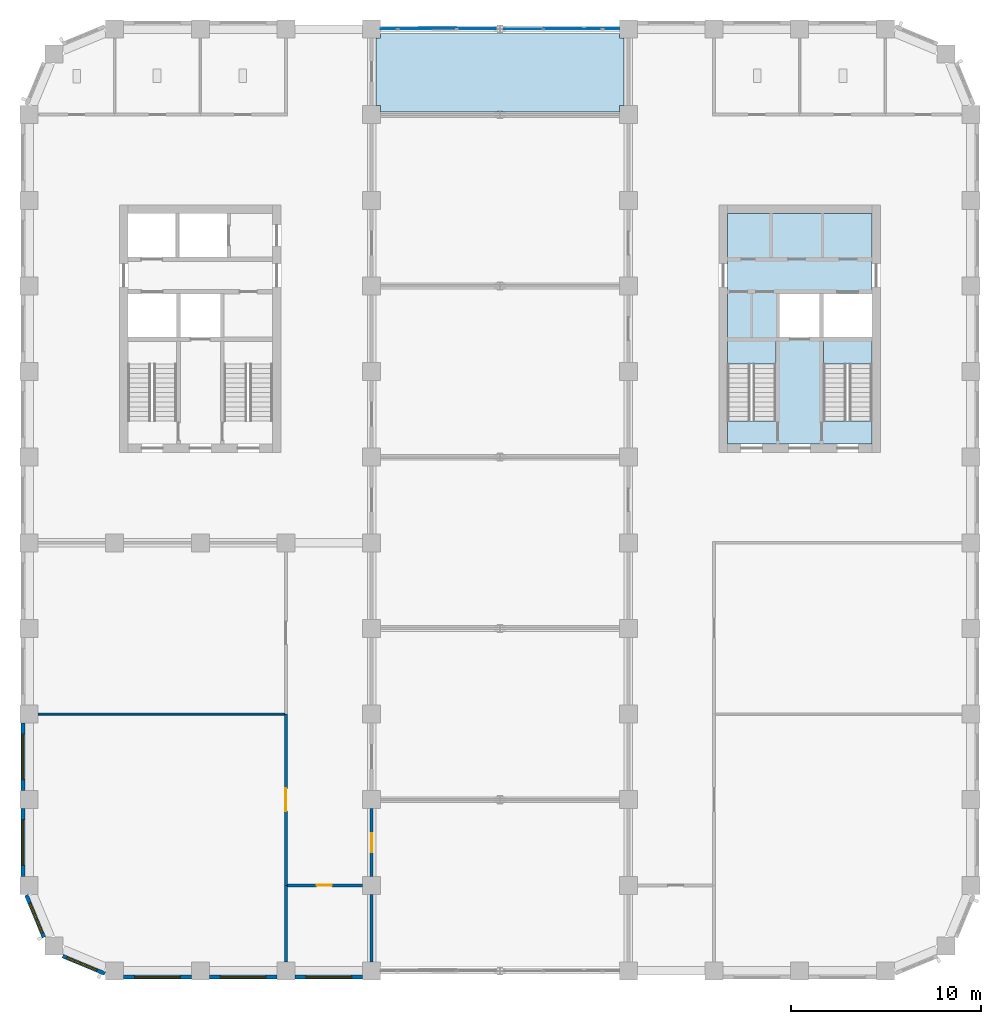
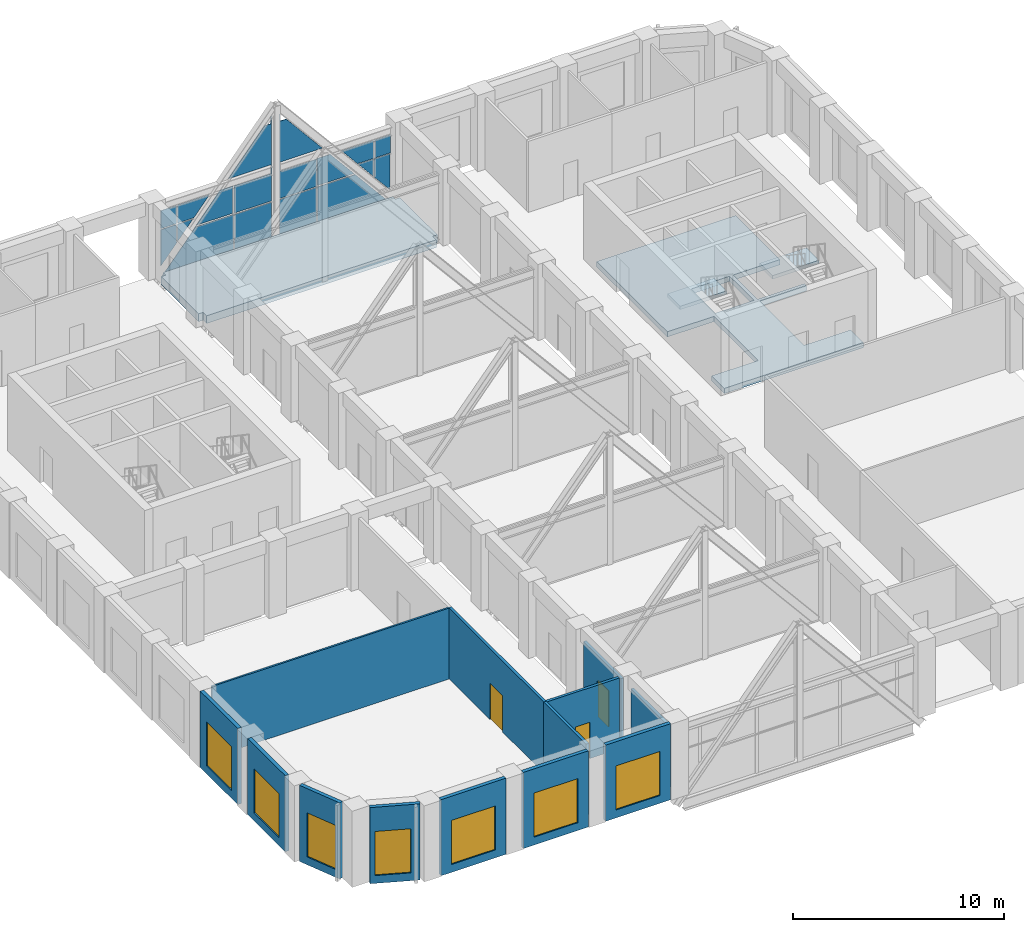
# One storey, part 7 of 15: 16 plates, 13 walls, 7 windows, 4 slabs, 3 doors, 10 openings, 6 elements without a shape of their own.
"""IFC4 building model written with IfcOpenShell, lengths in metres."""

from ifc_helpers import new_model, si_unit, direction, frame, frame_2d, origin, place, context, subcontext, project, spatial, polyline, rectangle, outline, extrude, material, layer, layer_set, type_object, element, fill, aggregate, save


model = new_model("IFC4")

# Units and contexts
model_context = context("Model", 3, precision=1e-05, world=origin(), true_north=direction((0.0, 1.0)))
body_context = subcontext(model_context, "Body", "Model", "MODEL_VIEW")
ifc_project = project(units=[si_unit("LENGTHUNIT", "METRE"), si_unit("AREAUNIT", "SQUARE_METRE"), si_unit("VOLUMEUNIT", "CUBIC_METRE"), si_unit("PLANEANGLEUNIT", "RADIAN"), si_unit("MASSUNIT", "GRAM", prefix="KILO")], contexts=[model_context])

# Site, building, storey
site_placement = place(None, origin())
site = spatial("IfcSite", under=ifc_project, at=site_placement, CompositionType="ELEMENT")
building_placement = place(site_placement, origin())
building = spatial("IfcBuilding", under=site, at=building_placement, Name="Girih Gate Residences", CompositionType="ELEMENT")
storey_placement = place(building_placement, frame((0.0, 0.0, 168.199951171875)))
storey = spatial("IfcBuildingStorey", under=building, at=storey_placement, Name="L46", CompositionType="ELEMENT", Elevation=168.199951171875)

# Slab
ifc_material_1 = material(Name="Concrete C40/50", Category="concrete")
ifc_layer_1 = layer(ifc_material_1, 0.300048828125)
ifc_layer_set_1 = layer_set([ifc_layer_1], Name="Core floor slab 300")
slab_type_1 = type_object("IfcSlabType", Name="Core floor slab 300", PredefinedType="FLOOR", material=ifc_layer_set_1)
slab_1_placement = place(storey_placement, frame((0.0, 0.0, -0.300048828125)))
element("IfcSlab", 1, at=slab_1_placement, inside=storey, type_object=slab_type_1, Name="L46 E core floor", PredefinedType="FLOOR", context=body_context, shape_type="SweptSolid", body=[
    extrude(outline(polyline([(44.300048828125, 27.699951171875), (36.699951171875, 27.699951171875), (36.699951171875, 28.900634765625), (39.25, 28.900634765625), (39.25, 33.10009765625), (36.699951171875, 33.10009765625), (36.699951171875, 39.800048828125), (44.300048828125, 39.800048828125), (44.300048828125, 35.60009765625), (41.75, 35.60009765625), (41.75, 33.300048828125), (44.300048828125, 33.300048828125), (44.300048828125, 33.10009765625), (41.75, 33.10009765625), (41.75, 28.900634765625), (44.300048828125, 28.900634765625), (44.300048828125, 27.699951171875)]), holes=[polyline([(39.449951171875, 33.300048828125), (41.550048828125, 33.300048828125), (41.550048828125, 35.60009765625), (39.449951171875, 35.60009765625), (39.449951171875, 33.300048828125)])]), origin(), (0.0, 0.0, 1.0), 0.300048828125),
])

# Curtain wall, plates
ifc_material_2 = material(Name="Aluminium curtain wall frame", Category="aluminium")
curtain_wall_type = type_object("IfcCurtainWallType", Name="Curtain wall CW-4 bridge glazing", PredefinedType="NOTDEFINED", material=ifc_material_2)
curtain_wall_1_placement = place(storey_placement, origin())
curtain_wall_1 = element("IfcCurtainWall", 2, at=curtain_wall_1_placement, inside=storey, type_object=curtain_wall_type, Name="CW-4 Bridge glazing N1", PredefinedType="NOTDEFINED")
ifc_material_3 = material(Name="Double glazed unit")
ifc_layer_2 = layer(ifc_material_3, 0.028076171875)
ifc_layer_set_2 = layer_set([ifc_layer_2], Name="Curtain wall glass panel 28")
plate_type = type_object("IfcPlateType", Name="Curtain wall glass panel 28", PredefinedType="CURTAIN_PANEL", material=ifc_layer_set_2)
plate_1_placement = place(storey_placement, frame((19.333251953125, 49.513916015625, 3.43505859375), z_axis=(0.0, 1.0, 0.0), x_axis=(0.0, 0.0, -1.0)))
plate_1 = element("IfcPlate", 3, at=plate_1_placement, type_object=plate_type, Name="CW-4 panel N1.1", PredefinedType="CURTAIN_PANEL", context=body_context, shape_type="SweptSolid", body=[
    extrude(outline(polyline([(0.0, 0.0), (1.035888671875, 0.0), (1.035888671875, 0.858154296875), (0.0, 0.858154296875), (0.0, 0.0)])), origin(), (0.0, 0.0, -1.0), 0.028076171875),
])
plate_2_placement = place(storey_placement, frame((21.139892578125, 49.513916015625, 3.43505859375), z_axis=(0.0, 1.0, 0.0), x_axis=(-0.640167072244, 0.0, -0.768235718783)))
plate_2 = element("IfcPlate", 4, at=plate_2_placement, type_object=plate_type, Name="CW-4 panel N1.2", PredefinedType="CURTAIN_PANEL", context=body_context, shape_type="SweptSolid", body=[
    extrude(outline(polyline([(0.0, 0.0), (1.3858991968136753, 0.0), (1.3637674060870153, 0.0184423131164142), (1.9139109837969996, 0.6786448839455945), (1.118104305379894, 1.3417867021908965), (0.0, 0.0)])), origin(), (0.0, 0.0, -1.0), 0.028076171875),
])
plate_3_placement = place(storey_placement, frame((19.393310546875, 49.513916015625, 1.339111328125), z_axis=(0.0, 1.0, 0.0), x_axis=(0.0, 0.0, 1.0)))
plate_3 = element("IfcPlate", 5, at=plate_3_placement, type_object=plate_type, Name="CW-4 panel N1.3", PredefinedType="CURTAIN_PANEL", context=body_context, shape_type="SweptSolid", body=[
    extrude(outline(polyline([(0.0, 0.0), (1.0, 0.0), (1.0, 0.833251953125), (0.0, 0.0)])), origin(), (0.0, 0.0, -1.0), 0.028076171875),
])
plate_4_placement = place(storey_placement, frame((18.47509765625, 49.513916015625, 0.237060546875), z_axis=(0.0, 1.0, 0.0), x_axis=(0.0, 0.0, 1.0)))
plate_4 = element("IfcPlate", 6, at=plate_4_placement, type_object=plate_type, Name="CW-4 panel N1.4", PredefinedType="CURTAIN_PANEL", context=body_context, shape_type="SweptSolid", body=[
    extrude(outline(polyline([(0.0, 0.0), (2.10205078125, 0.0), (2.10205078125, 0.858154296875), (1.065185546875, 0.858154296875), (1.065185546875, 0.887451171875), (0.0, 0.0)])), origin(), (0.0, 0.0, -1.0), 0.028076171875),
])
aggregate(curtain_wall_1, [plate_1, plate_2, plate_3, plate_4])

curtain_wall_2_placement = place(storey_placement, origin())
curtain_wall_2 = element("IfcCurtainWall", 7, at=curtain_wall_2_placement, inside=storey, type_object=curtain_wall_type, Name="CW-4 Bridge glazing N3", PredefinedType="NOTDEFINED")
plate_5_placement = place(storey_placement, frame((24.534912109375, 49.5439453125, 1.86962890625), z_axis=(0.0, 1.0, 0.0), x_axis=(-1.0, 0.0, 0.0)))
plate_5 = element("IfcPlate", 8, at=plate_5_placement, type_object=plate_type, Name="CW-4 panel N3.1", PredefinedType="CURTAIN_PANEL", context=body_context, shape_type="SweptSolid", body=[
    extrude(outline(polyline([(0.0, 0.0), (2.025146484375, 0.0), (2.025146484375, 1.5654296875), (0.034912109375, 1.5654296875), (0.034912109375, 2.095458984375), (2.341552734375, 2.095458984375), (0.366455078125, 4.46533203125), (0.034912109375, 4.46533203125), (0.034912109375, 4.86328125), (0.00830078125, 4.8955078125), (0.0, 4.8955078125), (0.0, 0.0)])), origin(), (0.0, 0.0, -1.0), 0.028076171875),
])
plate_6_placement = place(storey_placement, frame((24.534912109375, 49.513916015625, -0.43505859375), z_axis=(0.0, 1.0, 0.0), x_axis=(-1.0, 0.0, 0.0)))
plate_6 = element("IfcPlate", 9, at=plate_6_placement, type_object=plate_type, Name="CW-4 panel N3.2", PredefinedType="CURTAIN_PANEL", context=body_context, shape_type="SweptSolid", body=[
    extrude(outline(polyline([(0.0, 0.0), (2.025146484375, 0.0), (2.025146484375, 2.24462890625), (0.0, 2.24462890625), (0.0, 0.0)])), origin(), (0.0, 0.0, -1.0), 0.028076171875),
])
plate_7_placement = place(storey_placement, frame((18.526611328125, 49.5439453125, -0.43505859375), z_axis=(0.0, 1.0, 0.0), x_axis=(0.640233083146, 0.0, 0.768180707416)))
plate_7 = element("IfcPlate", 10, at=plate_7_placement, type_object=plate_type, Name="CW-4 panel N3.3", PredefinedType="CURTAIN_PANEL", context=body_context, shape_type="SweptSolid", body=[
    extrude(outline(polyline([(0.0, 0.0), (2.95950871722392, 0.0), (2.937378511297393, 0.01844421479765601), (4.235976278576423, 1.5765607473195384), (2.511695657487571, 3.0136464324860532), (0.0, 0.0)])), origin(), (0.0, 0.0, -1.0), 0.028076171875),
])
plate_8_placement = place(storey_placement, frame((21.751708984375, 49.573974609375, 3.43505859375), z_axis=(0.0, 1.0, 0.0), x_axis=(1.0, 0.0, 0.0)))
plate_8 = element("IfcPlate", 11, at=plate_8_placement, type_object=plate_type, Name="CW-4 panel N3.4", PredefinedType="CURTAIN_PANEL", context=body_context, shape_type="SweptSolid", body=[
    extrude(outline(polyline([(0.0, 0.0), (0.697998046875, 0.0), (0.697998046875, 1.5654296875), (-1.304443359375, 1.5654296875), (0.0, 0.0)])), origin(), (0.0, 0.0, -1.0), 0.028076171875),
])
aggregate(curtain_wall_2, [plate_5, plate_6, plate_7, plate_8])

curtain_wall_3_placement = place(storey_placement, origin())
curtain_wall_3 = element("IfcCurtainWall", 12, at=curtain_wall_3_placement, inside=storey, type_object=curtain_wall_type, Name="CW-4 Bridge glazing N4", PredefinedType="NOTDEFINED")
plate_9_placement = place(storey_placement, frame((25.0, 49.513916015625, 6.73291015625), z_axis=(0.0, 1.0, 0.0), x_axis=(0.0, 0.0, -1.0)))
plate_9 = element("IfcPlate", 13, at=plate_9_placement, type_object=plate_type, Name="CW-4 panel N4.1", PredefinedType="CURTAIN_PANEL", context=body_context, shape_type="SweptSolid", body=[
    extrude(outline(polyline([(0.0, 0.0), (0.39794921875, 0.0), (0.39794921875, -0.33154296875), (2.767822265625, -2.306640625), (2.767822265625, 0.0), (3.2978515625, 0.0), (3.2978515625, -1.990234375), (4.86328125, -1.990234375), (4.86328125, 0.034912109375), (-0.0322265625, 0.034912109375), (-0.0322265625, 0.026611328125), (0.0, 0.0)])), origin(), (0.0, 0.0, -1.0), 0.028076171875),
])
plate_10_placement = place(storey_placement, frame((27.748291015625, 49.5439453125, 3.43505859375), z_axis=(0.0, 1.0, 0.0), x_axis=(0.640160829594, 0.0, -0.76824092071)))
plate_10 = element("IfcPlate", 14, at=plate_10_placement, type_object=plate_type, Name="CW-4 panel N4.2", PredefinedType="CURTAIN_PANEL", context=body_context, shape_type="SweptSolid", body=[
    extrude(outline(polyline([(0.0, 0.0), (2.0376806875278284, 0.0), (0.7557961356899306, 1.5383574296059517), (-0.44683100874232495, 0.5362306621852494), (0.0, 0.0)])), origin(), (0.0, 0.0, -1.0), 0.028076171875),
])
plate_11_placement = place(storey_placement, frame((30.973388671875, 49.513916015625, -0.43505859375), z_axis=(0.0, 1.0, 0.0), x_axis=(-1.0, 0.0, 0.0)))
plate_11 = element("IfcPlate", 15, at=plate_11_placement, type_object=plate_type, Name="CW-4 panel N4.3", PredefinedType="CURTAIN_PANEL", context=body_context, shape_type="SweptSolid", body=[
    extrude(outline(polyline([(0.0, 0.0), (3.923095703125, 0.0), (3.923095703125, 2.24462890625), (1.894775390625, 2.24462890625), (1.894775390625, 2.2734375), (0.0, 0.0)])), origin(), (0.0, 0.0, -1.0), 0.028076171875),
])
plate_12_placement = place(storey_placement, frame((24.965087890625, 49.513916015625, -0.43505859375), z_axis=(0.0, 1.0, 0.0), x_axis=(0.0, 0.0, 1.0)))
plate_12 = element("IfcPlate", 16, at=plate_12_placement, type_object=plate_type, Name="CW-4 panel N4.4", PredefinedType="CURTAIN_PANEL", context=body_context, shape_type="SweptSolid", body=[
    extrude(outline(polyline([(0.0, 0.0), (2.24462890625, 0.0), (2.24462890625, 2.025146484375), (0.0, 2.025146484375), (0.0, 0.0)])), origin(), (0.0, 0.0, -1.0), 0.028076171875),
])
aggregate(curtain_wall_3, [plate_9, plate_10, plate_11, plate_12])

curtain_wall_4_placement = place(storey_placement, origin())
curtain_wall_4 = element("IfcCurtainWall", 17, at=curtain_wall_4_placement, inside=storey, type_object=curtain_wall_type, Name="CW-4 Bridge glazing N6", PredefinedType="NOTDEFINED")
plate_13_placement = place(storey_placement, frame((30.137451171875, 49.5439453125, 1.30224609375), z_axis=(0.0, 1.0, 0.0), x_axis=(1.0, 0.0, 0.0)))
plate_13 = element("IfcPlate", 18, at=plate_13_placement, type_object=plate_type, Name="CW-4 panel N6.1", PredefinedType="CURTAIN_PANEL", context=body_context, shape_type="SweptSolid", body=[
    extrude(outline(polyline([(0.0, 0.0), (0.029296875, 0.0), (0.029296875, -1.036865234375), (0.887451171875, -1.036865234375), (0.887451171875, 1.065185546875), (0.0, 0.0)])), origin(), (0.0, 0.0, -1.0), 0.028076171875),
])
plate_14_placement = place(storey_placement, frame((29.2734375, 49.5439453125, 2.339111328125), z_axis=(0.0, 1.0, 0.0), x_axis=(1.0, 0.0, 0.0)))
plate_14 = element("IfcPlate", 19, at=plate_14_placement, type_object=plate_type, Name="CW-4 panel N6.2", PredefinedType="CURTAIN_PANEL", context=body_context, shape_type="SweptSolid", body=[
    extrude(outline(polyline([(0.0, 0.0), (0.833251953125, 0.0), (0.833251953125, 1.0), (0.0, 0.0)])), origin(), (0.0, 0.0, -1.0), 0.028076171875),
])
plate_15_placement = place(storey_placement, frame((28.360107421875, 49.513916015625, 3.43505859375), z_axis=(0.0, 1.0, 0.0), x_axis=(1.0, 0.0, 0.0)))
plate_15 = element("IfcPlate", 20, at=plate_15_placement, type_object=plate_type, Name="CW-4 panel N6.3", PredefinedType="CURTAIN_PANEL", context=body_context, shape_type="SweptSolid", body=[
    extrude(outline(polyline([(0.0, 0.0), (1.74658203125, 0.0), (1.74658203125, 1.035888671875), (0.88720703125, 1.035888671875), (0.88720703125, 1.064697265625), (0.0, 0.0)])), origin(), (0.0, 0.0, -1.0), 0.028076171875),
])
plate_16_placement = place(storey_placement, frame((31.02490234375, 49.513916015625, 3.43505859375), z_axis=(0.0, 1.0, 0.0), x_axis=(0.0, 0.0, -1.0)))
plate_16 = element("IfcPlate", 21, at=plate_16_placement, type_object=plate_type, Name="CW-4 panel N6.4", PredefinedType="CURTAIN_PANEL", context=body_context, shape_type="SweptSolid", body=[
    extrude(outline(polyline([(0.0, 0.0), (1.035888671875, 0.0), (1.035888671875, 0.858154296875), (0.0, 0.858154296875), (0.0, 0.0)])), origin(), (0.0, 0.0, -1.0), 0.028076171875),
])
aggregate(curtain_wall_4, [plate_13, plate_14, plate_15, plate_16])

# Slab
ifc_layer_3 = layer(ifc_material_1, 0.449951171875)
ifc_layer_set_3 = layer_set([ifc_layer_3], Name="Floor slab PT 450 Concrete C40/50")
slab_type_2 = type_object("IfcSlabType", Name="Floor slab PT 450 Concrete C40/50", PredefinedType="FLOOR", material=ifc_layer_set_3)
slab_2_placement = place(storey_placement, frame((0.0, 0.0, -0.449951171875)))
element("IfcSlab", 22, at=slab_2_placement, inside=storey, type_object=slab_type_2, Name="Floor slab L46 8", PredefinedType="FLOOR", context=body_context, shape_type="SweptSolid", body=[
    extrude(outline(polyline([(31.02490234375, 49.27490234375), (18.47509765625, 49.27490234375), (18.47509765625, 49.02490234375), (18.22509765625, 49.02490234375), (18.22509765625, 45.47509765625), (18.47509765625, 45.47509765625), (18.47509765625, 45.14990234375), (31.02490234375, 45.14990234375), (31.02490234375, 45.47509765625), (31.27490234375, 45.47509765625), (31.27490234375, 49.02490234375), (31.02490234375, 49.02490234375), (31.02490234375, 49.27490234375)])), origin(), (0.0, 0.0, 1.0), 0.449951171875),
])

# Stair, slab
stair_type = type_object("IfcStairType", Name="Exit stair", PredefinedType="HALF_TURN_STAIR", material=ifc_material_1)
stair_1_placement = place(storey_placement, origin())
stair_1 = element("IfcStair", 23, at=stair_1_placement, inside=storey, type_object=stair_type, Name="L46 Exit Stair ST-E1", PredefinedType="HALF_TURN_STAIR")
ifc_layer_4 = layer(ifc_material_1, 0.199951171875)
ifc_layer_set_4 = layer_set([ifc_layer_4], Name="Stair landing 200")
slab_type_3 = type_object("IfcSlabType", Name="Stair landing 200", PredefinedType="LANDING", material=ifc_layer_set_4)
slab_3_placement = place(storey_placement, frame((0.0, 0.0, 2.0)))
slab_3 = element("IfcSlab", 24, at=slab_3_placement, type_object=slab_type_3, Name="ST-E1 landing 1", PredefinedType="LANDING", context=body_context, shape_type="SweptSolid", body=[
    extrude(outline(polyline([(44.300048828125, 31.89990234375), (44.300048828125, 33.10009765625), (41.75, 33.10009765625), (41.75, 31.89990234375), (44.300048828125, 31.89990234375)])), origin(), (0.0, 0.0, 1.0), 0.199951171875),
])
aggregate(stair_1, [slab_3])

stair_2_placement = place(storey_placement, origin())
stair_2 = element("IfcStair", 25, at=stair_2_placement, inside=storey, type_object=stair_type, Name="L46 Exit Stair ST-E2", PredefinedType="HALF_TURN_STAIR")
slab_4_placement = place(storey_placement, frame((0.0, 0.0, 2.0)))
slab_4 = element("IfcSlab", 26, at=slab_4_placement, type_object=slab_type_3, Name="ST-E2 landing 1", PredefinedType="LANDING", context=body_context, shape_type="SweptSolid", body=[
    extrude(outline(polyline([(39.25, 31.89990234375), (39.25, 33.10009765625), (36.699951171875, 33.10009765625), (36.699951171875, 31.89990234375), (39.25, 31.89990234375)])), origin(), (0.0, 0.0, 1.0), 0.199951171875),
])
aggregate(stair_2, [slab_4])

# Wall
ifc_material_4 = material(Name="Gypsum board on steel studs", Category="steel")
ifc_layer_5 = layer(ifc_material_4, 0.14990234375)
ifc_layer_set_5 = layer_set([ifc_layer_5], Name="Compartment wall 150 mm")
wall_type_1 = type_object("IfcWallType", Name="Compartment wall 150 mm", PredefinedType="PARTITIONING", material=ifc_layer_set_5)
wall_1_placement = place(storey_placement, frame((18.0, 0.47509765625, 0.0), z_axis=(0.0, 0.0, 1.0), x_axis=(0.0, 1.0, 0.0)))
element("IfcWall", 27, at=wall_1_placement, inside=storey, type_object=wall_type_1, Name="L46 partition", PredefinedType="PARTITIONING", context=body_context, shape_type="SweptSolid", body=[
    extrude(rectangle(XDim=3.5498046875, YDim=0.14990234375, at=frame_2d((1.77490234375, 0.0))), origin(), (0.0, 0.0, 1.0), 3.580078125),
])

# Wall, opening, door
wall_2_placement = place(storey_placement, frame((18.0, 8.52490234375, 0.0), z_axis=(0.0, 0.0, 1.0), x_axis=(0.0, -1.0, 0.0)))
wall_2 = element("IfcWall", 28, at=wall_2_placement, inside=storey, type_object=wall_type_1, Name="L46 partition", PredefinedType="PARTITIONING", context=body_context, shape_type="SweptSolid", body=[
    extrude(rectangle(XDim=3.5498046875, YDim=0.14990234375, at=frame_2d((1.77490234375, 0.0))), origin(), (0.0, 0.0, 1.0), 3.580078125),
])
opening_1_placement = place(wall_2_placement, frame((1.27490234375, 0.0, 0.0)))
opening_1 = element("IfcOpeningElement", 29, at=opening_1_placement, cuts=wall_2, Name="Opening D-L46-S-001", PredefinedType="OPENING", context=body_context, shape_type="SweptSolid", body=[
    extrude(rectangle(XDim=1.0, YDim=2.10009765625, at=frame_2d((0.5, 1.050048828125))), frame((0.0, 0.0849609375, 0.0), z_axis=(0.0, -1.0, 0.0), x_axis=(1.0, 0.0, 0.0)), (0.0, 0.0, 1.0), 0.169921875),
])
ifc_material_5 = material(Name="Timber, fire-rated core", Category="wood")
door_type_1 = type_object("IfcDoorType", Name="Amenity door 1000x2100 FD30S", OperationType="SINGLE_SWING_LEFT", PredefinedType="DOOR", material=ifc_material_5)
door_1_placement = place(opening_1_placement, origin())
door_1 = element("IfcDoor", 30, at=door_1_placement, inside=storey, type_object=door_type_1, Name="Door L46-001", OperationType="SINGLE_SWING_RIGHT", OverallHeight=2.10009765625, OverallWidth=1.0, PredefinedType="DOOR", context=body_context, shape_type="SweptSolid", body=[
    extrude(rectangle(XDim=1.0, YDim=2.10009765625, at=frame_2d((0.5, 1.050048828125))), frame((0.0, 0.02490234375, 0.0), z_axis=(0.0, -1.0, 0.0), x_axis=(1.0, 0.0, 0.0)), (0.0, 0.0, 1.0), 0.050048828125),
])
fill(opening_1, door_1)

# Wall
wall_3_placement = place(storey_placement, frame((13.5, 0.47509765625, 0.0), z_axis=(0.0, 0.0, 1.0), x_axis=(0.0, 1.0, 0.0)))
element("IfcWall", 31, at=wall_3_placement, inside=storey, type_object=wall_type_1, Name="L46 partition", PredefinedType="PARTITIONING", context=body_context, shape_type="SweptSolid", body=[
    extrude(rectangle(XDim=4.02490234375, YDim=0.14990234375, at=frame_2d((2.012451171875, 0.0))), origin(), (0.0, 0.0, 1.0), 4.10009765625),
])

# Wall, opening, door
wall_4_placement = place(storey_placement, frame((17.52490234375, 4.5, 0.0), z_axis=(0.0, 0.0, 1.0), x_axis=(-1.0, 0.0, 0.0)))
wall_4 = element("IfcWall", 32, at=wall_4_placement, inside=storey, type_object=wall_type_1, Name="L46 partition", PredefinedType="PARTITIONING", context=body_context, shape_type="SweptSolid", body=[
    extrude(rectangle(XDim=3.949951171875, YDim=0.14990234375, at=frame_2d((1.97509765625, 0.0))), origin(), (0.0, 0.0, 1.0), 4.10009765625),
])
opening_2_placement = place(wall_4_placement, frame((1.612548828125, 0.0, 0.0)))
opening_2 = element("IfcOpeningElement", 33, at=opening_2_placement, cuts=wall_4, Name="Opening D-L46-S-019", PredefinedType="OPENING", context=body_context, shape_type="SweptSolid", body=[
    extrude(rectangle(XDim=0.800048828125, YDim=2.10009765625, at=frame_2d((0.39990234375, 1.050048828125))), frame((0.0, 0.0849609375, 0.0), z_axis=(0.0, -1.0, 0.0), x_axis=(1.0, 0.0, 0.0)), (0.0, 0.0, 1.0), 0.169921875),
])
ifc_material_6 = material(Name="Timber", Category="wood")
door_type_2 = type_object("IfcDoorType", Name="WC and store door 800x2100", OperationType="SINGLE_SWING_LEFT", PredefinedType="DOOR", material=ifc_material_6)
door_2_placement = place(opening_2_placement, origin())
door_2 = element("IfcDoor", 34, at=door_2_placement, inside=storey, type_object=door_type_2, Name="Door L46-019", OperationType="SINGLE_SWING_RIGHT", OverallHeight=2.10009765625, OverallWidth=0.800048828125, PredefinedType="DOOR", context=body_context, shape_type="SweptSolid", body=[
    extrude(rectangle(XDim=0.800048828125, YDim=2.10009765625, at=frame_2d((0.39990234375, 1.050048828125))), frame((0.0, 0.02490234375, 0.0), z_axis=(0.0, -1.0, 0.0), x_axis=(1.0, 0.0, 0.0)), (0.0, 0.0, 1.0), 0.050048828125),
])
fill(opening_2, door_2)

wall_5_placement = place(storey_placement, frame((13.5, 4.5, 0.0), z_axis=(0.0, 0.0, 1.0), x_axis=(0.0, 1.0, 0.0)))
wall_5 = element("IfcWall", 35, at=wall_5_placement, inside=storey, type_object=wall_type_1, Name="L46 partition", PredefinedType="PARTITIONING", context=body_context, shape_type="SweptSolid", body=[
    extrude(rectangle(XDim=9.0, YDim=0.14990234375, at=frame_2d((4.5, 0.0))), origin(), (0.0, 0.0, 1.0), 4.10009765625),
])
opening_3_placement = place(wall_5_placement, frame((3.89990234375, 0.0, 0.0)))
opening_3 = element("IfcOpeningElement", 36, at=opening_3_placement, cuts=wall_5, Name="Opening D-L46-S-020", PredefinedType="OPENING", context=body_context, shape_type="SweptSolid", body=[
    extrude(rectangle(XDim=1.199951171875, YDim=2.10009765625, at=frame_2d((0.60009765625, 1.050048828125))), frame((0.0, 0.0849609375, 0.0), z_axis=(0.0, -1.0, 0.0), x_axis=(1.0, 0.0, 0.0)), (0.0, 0.0, 1.0), 0.169921875),
])
door_type_3 = type_object("IfcDoorType", Name="Gallery fire door 1200x2100 FD30S", OperationType="SINGLE_SWING_LEFT", PredefinedType="DOOR", material=ifc_material_5)
door_3_placement = place(opening_3_placement, origin())
door_3 = element("IfcDoor", 37, at=door_3_placement, inside=storey, type_object=door_type_3, Name="Door L46-020", OperationType="SINGLE_SWING_RIGHT", OverallHeight=2.10009765625, OverallWidth=1.199951171875, PredefinedType="DOOR", context=body_context, shape_type="SweptSolid", body=[
    extrude(rectangle(XDim=1.199951171875, YDim=2.10009765625, at=frame_2d((0.60009765625, 1.050048828125))), frame((0.0, 0.02490234375, 0.0), z_axis=(0.0, -1.0, 0.0), x_axis=(1.0, 0.0, 0.0)), (0.0, 0.0, 1.0), 0.050048828125),
])
fill(opening_3, door_3)

# Wall
ifc_layer_6 = layer(ifc_material_4, 0.10009765625)
ifc_layer_set_6 = layer_set([ifc_layer_6], Name="Partition 100 mm")
wall_type_2 = type_object("IfcWallType", Name="Partition 100 mm", PredefinedType="PARTITIONING", material=ifc_layer_set_6)
wall_6_placement = place(storey_placement, frame((0.47509765625, 13.5, 0.0), z_axis=(0.0, 0.0, 1.0), x_axis=(1.0, 0.0, 0.0)))
element("IfcWall", 38, at=wall_6_placement, inside=storey, type_object=wall_type_2, Name="L46 partition", PredefinedType="PARTITIONING", context=body_context, shape_type="SweptSolid", body=[
    extrude(rectangle(XDim=12.949951171875, YDim=0.10009765625, at=frame_2d((6.47509765625, 0.0))), origin(), (0.0, 0.0, 1.0), 4.10009765625),
])

# Wall, opening, window
ifc_material_7 = material(Name="Precast concrete C50/60", Category="concrete")
ifc_layer_7 = layer(ifc_material_7, 0.06005859375, Name="Outer leaf")
ifc_material_8 = material(Name="Rigid PIR insulation")
ifc_layer_8 = layer(ifc_material_8, 0.090087890625, Name="Insulation")
ifc_material_9 = material(Name="Precast concrete C40/50", Category="concrete")
ifc_layer_9 = layer(ifc_material_9, 0.050048828125, Name="Inner leaf")
ifc_layer_set_7 = layer_set([ifc_layer_7, ifc_layer_8, ifc_layer_9], Name="Precast concrete C50/60 external wall 200")
wall_type_3 = type_object("IfcWallType", Name="Precast concrete C50/60 external wall 200", PredefinedType="SOLIDWALL", material=ifc_layer_set_7)
wall_7_placement = place(storey_placement, frame((0.7802734375, 1.76708984375, 0.0), z_axis=(0.0, 0.0, 1.0), x_axis=(-0.382680855588, 0.923880599843, 0.0)))
wall_7 = element("IfcWall", 39, at=wall_7_placement, inside=storey, type_object=wall_type_3, Name="External wall SW0000_0045.0", PredefinedType="SOLIDWALL", context=body_context, shape_type="SweptSolid", body=[
    extrude(rectangle(XDim=2.402587890625, YDim=0.199951171875, at=frame_2d((1.201171875, 0.0))), origin(), (0.0, 0.0, 1.0), 4.400146484375),
])
opening_4_placement = place(wall_7_placement, frame((0.25146484375, 0.0, 0.449951171875)))
opening_4 = element("IfcOpeningElement", 40, at=opening_4_placement, cuts=wall_7, Name="Opening W-2F", PredefinedType="OPENING", context=body_context, shape_type="SweptSolid", body=[
    extrude(rectangle(XDim=1.699951171875, YDim=2.550048828125, at=frame_2d((0.85009765625, 1.27490234375))), frame((0.0, 0.10986328125, 0.0), z_axis=(0.0, -1.0, 0.0), x_axis=(1.0, 0.0, 0.0)), (0.0, 0.0, 1.0), 0.219970703125),
])
ifc_material_10 = material(Name="Double glazing in aluminium frame", Category="aluminium")
window_type_1 = type_object("IfcWindowType", Name="Window W-2F 1700x2550", PartitioningType="SINGLE_PANEL", PredefinedType="WINDOW", material=ifc_material_10)
window_1_placement = place(opening_4_placement, origin())
window_1 = element("IfcWindow", 41, at=window_1_placement, inside=storey, type_object=window_type_1, Name="Window W-2F SW0000_0045.0", OverallHeight=2.550048828125, OverallWidth=1.699951171875, PartitioningType="SINGLE_PANEL", PredefinedType="WINDOW", context=body_context, shape_type="SweptSolid", body=[
    extrude(rectangle(XDim=1.699951171875, YDim=2.550048828125, at=frame_2d((0.85009765625, 1.27490234375))), frame((0.0, 0.030029296875, 0.0), z_axis=(0.0, -1.0, 0.0), x_axis=(1.0, 0.0, 0.0)), (0.0, 0.0, 1.0), 0.06005859375),
])
fill(opening_4, window_1)

wall_8_placement = place(storey_placement, frame((3.98681640625, -0.13916015625, 0.0), z_axis=(0.0, 0.0, 1.0), x_axis=(-0.923880599843, 0.382680855588, 0.0)))
wall_8 = element("IfcWall", 42, at=wall_8_placement, inside=storey, type_object=wall_type_3, Name="External wall SW0013_0013.0", PredefinedType="SOLIDWALL", context=body_context, shape_type="SweptSolid", body=[
    extrude(rectangle(XDim=2.402587890625, YDim=0.199951171875, at=frame_2d((1.201171875, 0.0))), origin(), (0.0, 0.0, 1.0), 4.400146484375),
])
opening_5_placement = place(wall_8_placement, frame((0.451171875, 0.0, 0.449951171875)))
opening_5 = element("IfcOpeningElement", 43, at=opening_5_placement, cuts=wall_8, Name="Opening W-2F", PredefinedType="OPENING", context=body_context, shape_type="SweptSolid", body=[
    extrude(rectangle(XDim=1.699951171875, YDim=2.550048828125, at=frame_2d((0.85009765625, 1.27490234375))), frame((0.0, 0.10986328125, 0.0), z_axis=(0.0, -1.0, 0.0), x_axis=(1.0, 0.0, 0.0)), (0.0, 0.0, 1.0), 0.219970703125),
])
window_2_placement = place(opening_5_placement, origin())
window_2 = element("IfcWindow", 44, at=window_2_placement, inside=storey, type_object=window_type_1, Name="Window W-2F SW0013_0013.0", OverallHeight=2.550048828125, OverallWidth=1.699951171875, PartitioningType="SINGLE_PANEL", PredefinedType="WINDOW", context=body_context, shape_type="SweptSolid", body=[
    extrude(rectangle(XDim=1.699951171875, YDim=2.550048828125, at=frame_2d((0.85009765625, 1.27490234375))), frame((0.0, 0.030029296875, 0.0), z_axis=(0.0, -1.0, 0.0), x_axis=(1.0, 0.0, 0.0)), (0.0, 0.0, 1.0), 0.06005859375),
])
fill(opening_5, window_2)

wall_9_placement = place(storey_placement, frame((8.52490234375, -0.324951171875, 0.0), z_axis=(0.0, 0.0, 1.0), x_axis=(-1.0, 0.0, 0.0)))
wall_9 = element("IfcWall", 45, at=wall_9_placement, inside=storey, type_object=wall_type_3, Name="External wall S0045_0000.0", PredefinedType="SOLIDWALL", context=body_context, shape_type="SweptSolid", body=[
    extrude(rectangle(XDim=3.5498046875, YDim=0.199951171875, at=frame_2d((1.77490234375, 0.0))), origin(), (0.0, 0.0, 1.0), 4.400146484375),
])
opening_6_placement = place(wall_9_placement, frame((0.574951171875, 0.0, 0.449951171875)))
opening_6 = element("IfcOpeningElement", 46, at=opening_6_placement, cuts=wall_9, Name="Opening W-6B", PredefinedType="OPENING", context=body_context, shape_type="SweptSolid", body=[
    extrude(rectangle(XDim=2.39990234375, YDim=2.550048828125, at=frame_2d((1.199951171875, 1.27490234375))), frame((0.0, 0.10986328125, 0.0), z_axis=(0.0, -1.0, 0.0), x_axis=(1.0, 0.0, 0.0)), (0.0, 0.0, 1.0), 0.219970703125),
])
window_type_2 = type_object("IfcWindowType", Name="Window W-6B 2400x2550", PartitioningType="SINGLE_PANEL", PredefinedType="WINDOW", material=ifc_material_10)
window_3_placement = place(opening_6_placement, origin())
window_3 = element("IfcWindow", 47, at=window_3_placement, inside=storey, type_object=window_type_2, Name="Window W-6B S0045_0000.0", OverallHeight=2.550048828125, OverallWidth=2.39990234375, PartitioningType="SINGLE_PANEL", PredefinedType="WINDOW", context=body_context, shape_type="SweptSolid", body=[
    extrude(rectangle(XDim=2.39990234375, YDim=2.550048828125, at=frame_2d((1.199951171875, 1.27490234375))), frame((0.0, 0.030029296875, 0.0), z_axis=(0.0, -1.0, 0.0), x_axis=(1.0, 0.0, 0.0)), (0.0, 0.0, 1.0), 0.06005859375),
])
fill(opening_6, window_3)

wall_10_placement = place(storey_placement, frame((13.02490234375, -0.324951171875, 0.0), z_axis=(0.0, 0.0, 1.0), x_axis=(-1.0, 0.0, 0.0)))
wall_10 = element("IfcWall", 48, at=wall_10_placement, inside=storey, type_object=wall_type_3, Name="External wall S0045_0000.1", PredefinedType="SOLIDWALL", context=body_context, shape_type="SweptSolid", body=[
    extrude(rectangle(XDim=3.5498046875, YDim=0.199951171875, at=frame_2d((1.77490234375, 0.0))), origin(), (0.0, 0.0, 1.0), 4.400146484375),
])
opening_7_placement = place(wall_10_placement, frame((0.574951171875, 0.0, 0.449951171875)))
opening_7 = element("IfcOpeningElement", 49, at=opening_7_placement, cuts=wall_10, Name="Opening W-6B", PredefinedType="OPENING", context=body_context, shape_type="SweptSolid", body=[
    extrude(rectangle(XDim=2.39990234375, YDim=2.550048828125, at=frame_2d((1.199951171875, 1.27490234375))), frame((0.0, 0.10986328125, 0.0), z_axis=(0.0, -1.0, 0.0), x_axis=(1.0, 0.0, 0.0)), (0.0, 0.0, 1.0), 0.219970703125),
])
window_4_placement = place(opening_7_placement, origin())
window_4 = element("IfcWindow", 50, at=window_4_placement, inside=storey, type_object=window_type_2, Name="Window W-6B S0045_0000.1", OverallHeight=2.550048828125, OverallWidth=2.39990234375, PartitioningType="SINGLE_PANEL", PredefinedType="WINDOW", context=body_context, shape_type="SweptSolid", body=[
    extrude(rectangle(XDim=2.39990234375, YDim=2.550048828125, at=frame_2d((1.199951171875, 1.27490234375))), frame((0.0, 0.030029296875, 0.0), z_axis=(0.0, -1.0, 0.0), x_axis=(1.0, 0.0, 0.0)), (0.0, 0.0, 1.0), 0.06005859375),
])
fill(opening_7, window_4)

wall_11_placement = place(storey_placement, frame((17.52490234375, -0.324951171875, 0.0), z_axis=(0.0, 0.0, 1.0), x_axis=(-1.0, 0.0, 0.0)))
wall_11 = element("IfcWall", 51, at=wall_11_placement, inside=storey, type_object=wall_type_3, Name="External wall S0045_0000.2", PredefinedType="SOLIDWALL", context=body_context, shape_type="SweptSolid", body=[
    extrude(rectangle(XDim=3.5498046875, YDim=0.199951171875, at=frame_2d((1.77490234375, 0.0))), origin(), (0.0, 0.0, 1.0), 4.400146484375),
])
opening_8_placement = place(wall_11_placement, frame((0.574951171875, 0.0, 0.449951171875)))
opening_8 = element("IfcOpeningElement", 52, at=opening_8_placement, cuts=wall_11, Name="Opening W-6B", PredefinedType="OPENING", context=body_context, shape_type="SweptSolid", body=[
    extrude(rectangle(XDim=2.39990234375, YDim=2.550048828125, at=frame_2d((1.199951171875, 1.27490234375))), frame((0.0, 0.10986328125, 0.0), z_axis=(0.0, -1.0, 0.0), x_axis=(1.0, 0.0, 0.0)), (0.0, 0.0, 1.0), 0.219970703125),
])
window_5_placement = place(opening_8_placement, origin())
window_5 = element("IfcWindow", 53, at=window_5_placement, inside=storey, type_object=window_type_2, Name="Window W-6B S0045_0000.2", OverallHeight=2.550048828125, OverallWidth=2.39990234375, PartitioningType="SINGLE_PANEL", PredefinedType="WINDOW", context=body_context, shape_type="SweptSolid", body=[
    extrude(rectangle(XDim=2.39990234375, YDim=2.550048828125, at=frame_2d((1.199951171875, 1.27490234375))), frame((0.0, 0.030029296875, 0.0), z_axis=(0.0, -1.0, 0.0), x_axis=(1.0, 0.0, 0.0)), (0.0, 0.0, 1.0), 0.06005859375),
])
fill(opening_8, window_5)

wall_12_placement = place(storey_placement, frame((-0.324951171875, 9.47509765625, 0.0), z_axis=(0.0, 0.0, 1.0), x_axis=(0.0, 1.0, 0.0)))
wall_12 = element("IfcWall", 54, at=wall_12_placement, inside=storey, type_object=wall_type_3, Name="External wall W0000_0450.7", PredefinedType="SOLIDWALL", context=body_context, shape_type="SweptSolid", body=[
    extrude(rectangle(XDim=3.5498046875, YDim=0.199951171875, at=frame_2d((1.77490234375, 0.0))), origin(), (0.0, 0.0, 1.0), 4.400146484375),
])
opening_9_placement = place(wall_12_placement, frame((0.574951171875, 0.0, 0.449951171875)))
opening_9 = element("IfcOpeningElement", 55, at=opening_9_placement, cuts=wall_12, Name="Opening W-6B", PredefinedType="OPENING", context=body_context, shape_type="SweptSolid", body=[
    extrude(rectangle(XDim=2.39990234375, YDim=2.550048828125, at=frame_2d((1.199951171875, 1.27490234375))), frame((0.0, 0.10986328125, 0.0), z_axis=(0.0, -1.0, 0.0), x_axis=(1.0, 0.0, 0.0)), (0.0, 0.0, 1.0), 0.219970703125),
])
window_6_placement = place(opening_9_placement, origin())
window_6 = element("IfcWindow", 56, at=window_6_placement, inside=storey, type_object=window_type_2, Name="Window W-6B W0000_0450.7", OverallHeight=2.550048828125, OverallWidth=2.39990234375, PartitioningType="SINGLE_PANEL", PredefinedType="WINDOW", context=body_context, shape_type="SweptSolid", body=[
    extrude(rectangle(XDim=2.39990234375, YDim=2.550048828125, at=frame_2d((1.199951171875, 1.27490234375))), frame((0.0, 0.030029296875, 0.0), z_axis=(0.0, -1.0, 0.0), x_axis=(1.0, 0.0, 0.0)), (0.0, 0.0, 1.0), 0.06005859375),
])
fill(opening_9, window_6)

wall_13_placement = place(storey_placement, frame((-0.324951171875, 4.97509765625, 0.0), z_axis=(0.0, 0.0, 1.0), x_axis=(0.0, 1.0, 0.0)))
wall_13 = element("IfcWall", 57, at=wall_13_placement, inside=storey, type_object=wall_type_3, Name="External wall W0000_0450.8", PredefinedType="SOLIDWALL", context=body_context, shape_type="SweptSolid", body=[
    extrude(rectangle(XDim=3.5498046875, YDim=0.199951171875, at=frame_2d((1.77490234375, 0.0))), origin(), (0.0, 0.0, 1.0), 4.400146484375),
])
opening_10_placement = place(wall_13_placement, frame((0.574951171875, 0.0, 0.449951171875)))
opening_10 = element("IfcOpeningElement", 58, at=opening_10_placement, cuts=wall_13, Name="Opening W-6B", PredefinedType="OPENING", context=body_context, shape_type="SweptSolid", body=[
    extrude(rectangle(XDim=2.39990234375, YDim=2.550048828125, at=frame_2d((1.199951171875, 1.27490234375))), frame((0.0, 0.10986328125, 0.0), z_axis=(0.0, -1.0, 0.0), x_axis=(1.0, 0.0, 0.0)), (0.0, 0.0, 1.0), 0.219970703125),
])
window_7_placement = place(opening_10_placement, origin())
window_7 = element("IfcWindow", 59, at=window_7_placement, inside=storey, type_object=window_type_2, Name="Window W-6B W0000_0450.8", OverallHeight=2.550048828125, OverallWidth=2.39990234375, PartitioningType="SINGLE_PANEL", PredefinedType="WINDOW", context=body_context, shape_type="SweptSolid", body=[
    extrude(rectangle(XDim=2.39990234375, YDim=2.550048828125, at=frame_2d((1.199951171875, 1.27490234375))), frame((0.0, 0.030029296875, 0.0), z_axis=(0.0, -1.0, 0.0), x_axis=(1.0, 0.0, 0.0)), (0.0, 0.0, 1.0), 0.06005859375),
])
fill(opening_10, window_7)

save(model, "model.ifc")
